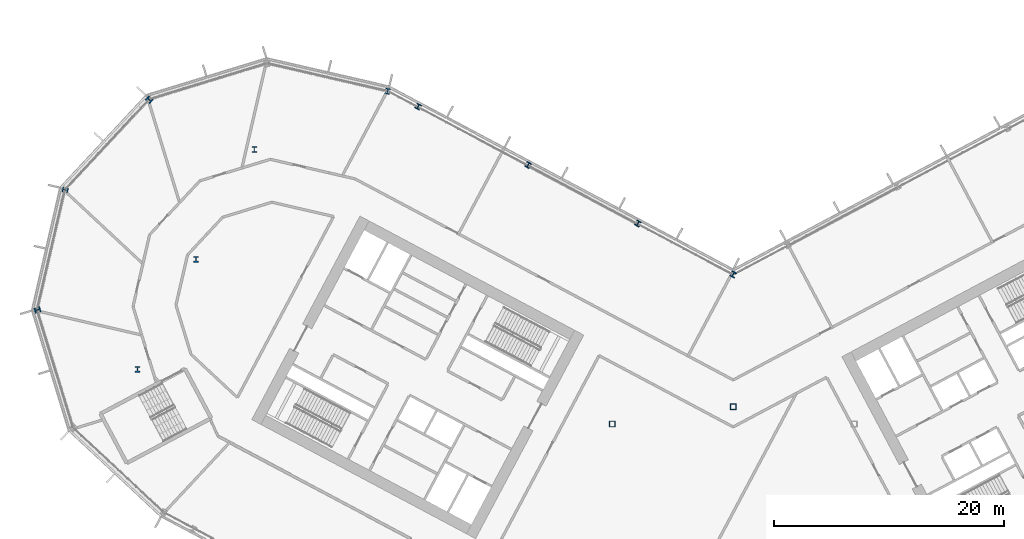
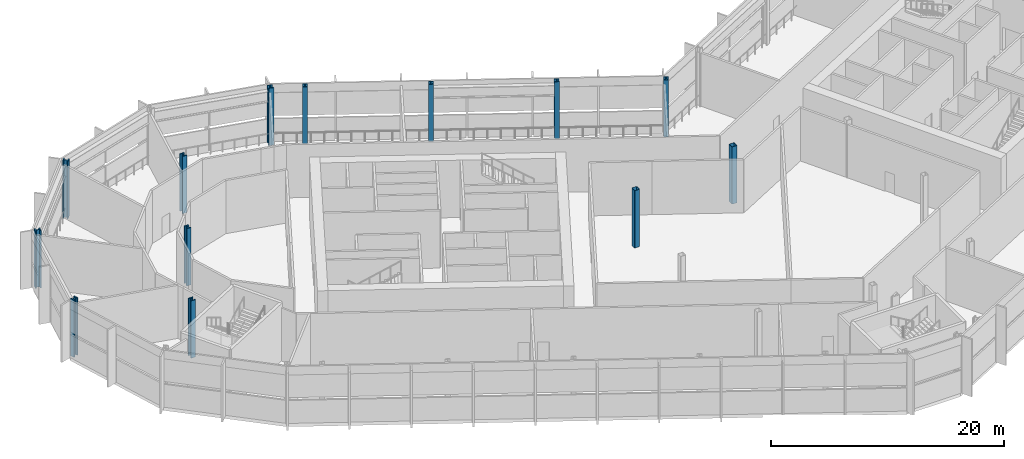
# One storey, part 2 of 33: 13 columns.
"""IFC4 building model written with IfcOpenShell, lengths in metres."""

from ifc_helpers import new_model, si_unit, direction, frame, origin, origin_2d, place, context, subcontext, project, spatial, hollow_rectangle, i_section, extrude, material, material_profile, profile_set, type_object, element, save


model = new_model("IFC4")

# Units and contexts
model_context = context("Model", 3, precision=1e-05, world=origin(), true_north=direction((0.0, 1.0)))
body_context = subcontext(model_context, "Body", "Model", "MODEL_VIEW")
ifc_project = project(units=[si_unit("LENGTHUNIT", "METRE"), si_unit("AREAUNIT", "SQUARE_METRE"), si_unit("VOLUMEUNIT", "CUBIC_METRE"), si_unit("PLANEANGLEUNIT", "RADIAN"), si_unit("MASSUNIT", "GRAM", prefix="KILO")], contexts=[model_context])

# Site, building, storey
site_placement = place(None, origin())
site = spatial("IfcSite", under=ifc_project, at=site_placement, CompositionType="ELEMENT")
building_placement = place(site_placement, origin())
building = spatial("IfcBuilding", under=site, at=building_placement, Name="Cormorant Relay Tower", CompositionType="ELEMENT")
storey_placement = place(building_placement, frame((0.0, 0.0, 112.199951171875)))
storey = spatial("IfcBuildingStorey", under=building, at=storey_placement, Name="L22", CompositionType="ELEMENT", Elevation=112.199951171875)

# Columns
ifc_material_1 = material(Name="Steel ASTM A500 Grade C (Fy 345 MPa)", Category="steel")
ifc_material_profile_1 = material_profile(ifc_material_1, hollow_rectangle(XDim=0.508056640625, YDim=0.508056640625, WallThickness=0.020751953125, InnerFilletRadius=0.01025390625, OuterFilletRadius=0.031005859375, at=origin_2d()), Name="HSS508x508x21")
ifc_profile_set_1 = profile_set([ifc_material_profile_1], Name="Steel ASTM A500 Grade C (Fy 345 MPa)")
column_type_1 = type_object("IfcColumnType", Name="Column HSS508x508x21", PredefinedType="COLUMN", material=ifc_profile_set_1)
for number, where, z_axis, x_axis, name in (
    (1, (-10.5, 10.5, 0.0), (0.0, 0.0, 1.0), (1.0, 0.0, 0.0), "Column L22-022"),
    (2, (0.0, 12.0, 0.0), (0.0, 0.0, 1.0), (1.0, 0.0, 0.0), "Column L22-024"),
):
    element("IfcColumn", number, at=place(storey_placement, frame(where, z_axis=z_axis, x_axis=x_axis)), inside=storey, type_object=column_type_1, Name=name, PredefinedType="COLUMN", context=body_context, shape_type="SweptSolid", body=[
        extrude(hollow_rectangle(XDim=0.508056640625, YDim=0.508056640625, WallThickness=0.020751953125, InnerFilletRadius=0.01025390625, OuterFilletRadius=0.031005859375, at=origin_2d()), origin(), (0.0, 0.0, 1.0), 6.0),
    ])
ifc_material_2 = material(Name="Steel ASTM A992 (Fy 345 MPa)", Category="steel")
ifc_material_profile_2 = material_profile(ifc_material_2, i_section(OverallWidth=0.42431640625, OverallDepth=0.47509765625, WebThickness=0.0478515625, FlangeThickness=0.0771484375, FilletRadius=0.014892578125, at=origin_2d()), Name="W360x634")
ifc_profile_set_2 = profile_set([ifc_material_profile_2], Name="Steel ASTM A992 (Fy 345 MPa)")
column_type_2 = type_object("IfcColumnType", Name="Column W360x634", PredefinedType="COLUMN", material=ifc_profile_set_2)
for number, where, z_axis, x_axis, name in (
    (3, (-8.26611328125, 27.906982421875, 0.0), (0.0, 0.0, 1.0), (-0.882947592859, 0.469471562786, 0.0), "Column L22-036"),
    (4, (-17.802001953125, 32.97802734375, 0.0), (0.0, 0.0, 1.0), (-0.882947592859, 0.469471562786, 0.0), "Column L22-041"),
    (5, (-27.337890625, 38.048095703125, 0.0), (0.0, 0.0, 1.0), (-0.882947592859, 0.469471562786, 0.0), "Column L22-046"),
):
    element("IfcColumn", number, at=place(storey_placement, frame(where, z_axis=z_axis, x_axis=x_axis)), inside=storey, type_object=column_type_2, Name=name, PredefinedType="COLUMN", context=body_context, shape_type="SweptSolid", body=[
        extrude(i_section(OverallWidth=0.42431640625, OverallDepth=0.47509765625, WebThickness=0.0478515625, FlangeThickness=0.0771484375, FilletRadius=0.014892578125, at=origin_2d()), origin(), (0.0, 0.0, 1.0), 6.0),
    ])
ifc_material_3 = material(Name="Steel ASTM A992 (Fy 345 MPa)", Category="steel")
ifc_material_profile_3 = material_profile(ifc_material_3, i_section(OverallWidth=0.43701171875, OverallDepth=0.51318359375, WebThickness=0.060546875, FlangeThickness=0.096923828125, FilletRadius=0.015380859375, at=origin_2d()), Name="W360x818")
ifc_profile_set_3 = profile_set([ifc_material_profile_3], Name="Steel ASTM A992 (Fy 345 MPa)")
column_type_3 = type_object("IfcColumnType", Name="Column W360x818", PredefinedType="COLUMN", material=ifc_profile_set_3)
for number, where, z_axis, x_axis, name in (
    (6, (-51.68994140625, 15.251953125, 0.0), (0.0, 0.0, 1.0), (1.0, 0.0, 0.0), "Column L22-027"),
    (7, (-60.3701171875, 20.406005859375, 0.0), (0.0, 0.0, 1.0), (0.292371704723, -0.956304755963, 0.0), "Column L22-030"),
    (8, (0.0, 23.48388671875, 0.0), (0.0, 0.0, 1.0), (-0.882947592859, 0.469471562786, 0.0), "Column L22-032"),
    (9, (-46.6201171875, 24.7880859375, 0.0), (0.0, 0.0, 1.0), (1.0, 0.0, 0.0), "Column L22-034"),
    (10, (-57.966064453125, 30.821044921875, 0.0), (0.0, 0.0, 1.0), (-0.224951054344, -0.974370064785, 0.0), "Column L22-038"),
    (11, (-41.549072265625, 34.323974609375, 0.0), (0.0, 0.0, 1.0), (1.0, 0.0, 0.0), "Column L22-043"),
    (12, (-50.675048828125, 38.637939453125, 0.0), (0.0, 0.0, 1.0), (-0.681998360062, -0.731353701619, 0.0), "Column L22-047"),
    (13, (-29.98193359375, 39.3779296875, 0.0), (0.0, 0.0, 1.0), (-0.974370064785, 0.224951054344, 0.0), "Column L22-048"),
):
    element("IfcColumn", number, at=place(storey_placement, frame(where, z_axis=z_axis, x_axis=x_axis)), inside=storey, type_object=column_type_3, Name=name, PredefinedType="COLUMN", context=body_context, shape_type="SweptSolid", body=[
        extrude(i_section(OverallWidth=0.43701171875, OverallDepth=0.51318359375, WebThickness=0.060546875, FlangeThickness=0.096923828125, FilletRadius=0.015380859375, at=origin_2d()), origin(), (0.0, 0.0, 1.0), 6.0),
    ])

save(model, "model.ifc")
